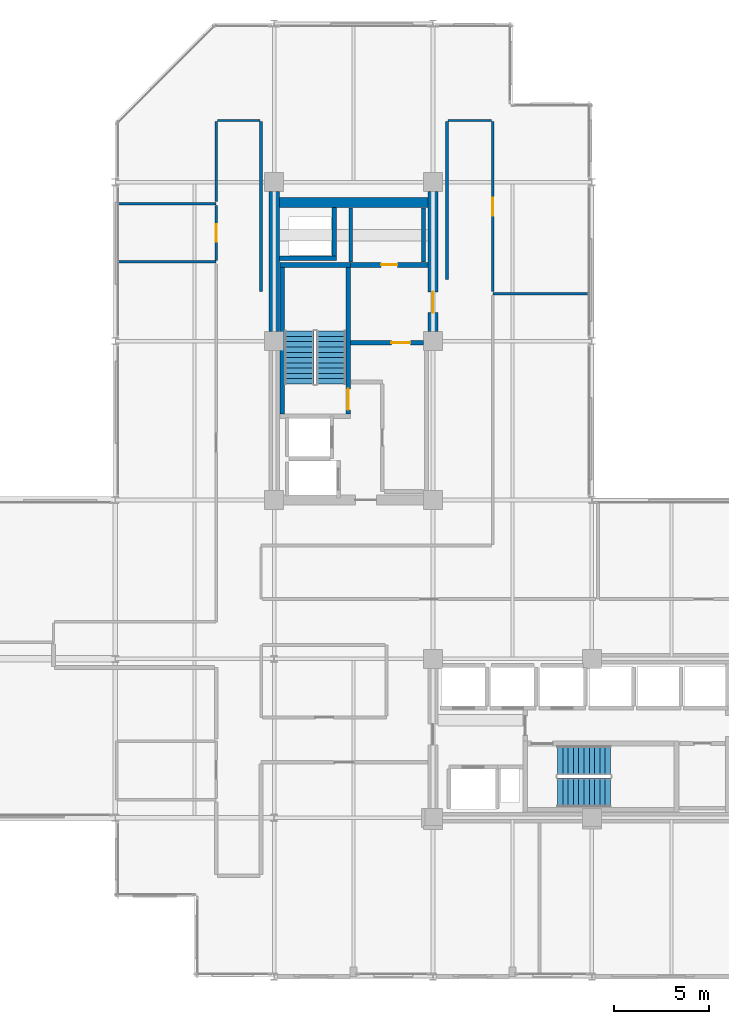
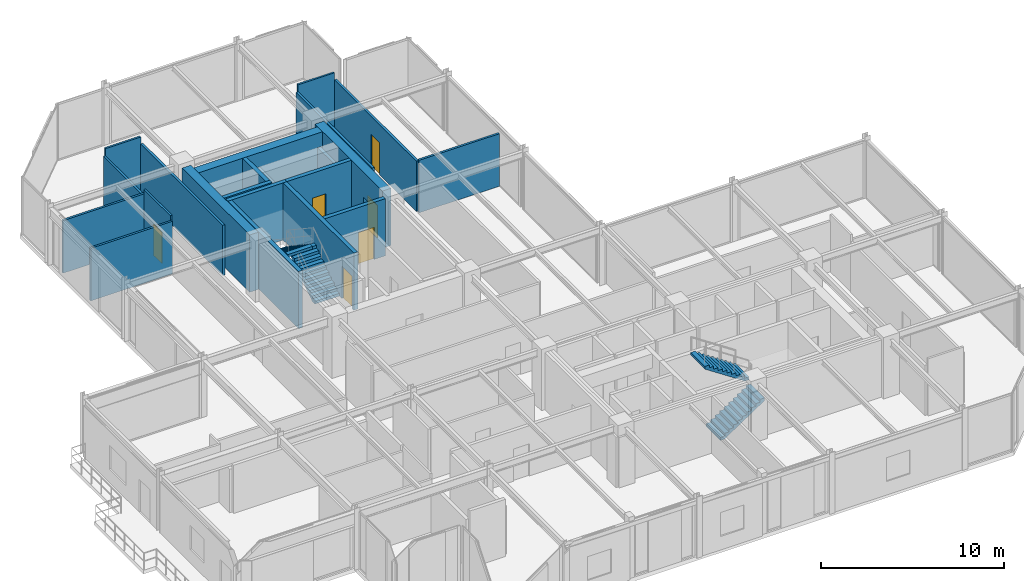
# One storey, part 26 of 29: 22 walls, 6 doors, 4 stair flights, 6 openings, 2 elements without a shape of their own.
"""IFC4 building model written with IfcOpenShell, lengths in metres."""

from ifc_helpers import new_model, si_unit, direction, frame, frame_2d, origin, place, context, subcontext, project, spatial, polyline, rectangle, outline, extrude, material, layer, layer_set, type_object, element, fill, aggregate, save


model = new_model("IFC4")

# Units and contexts
model_context = context("Model", 3, precision=1e-05, world=origin(), true_north=direction((0.0, 1.0)))
body_context = subcontext(model_context, "Body", "Model", "MODEL_VIEW")
ifc_project = project(units=[si_unit("LENGTHUNIT", "METRE"), si_unit("AREAUNIT", "SQUARE_METRE"), si_unit("VOLUMEUNIT", "CUBIC_METRE"), si_unit("PLANEANGLEUNIT", "RADIAN"), si_unit("MASSUNIT", "GRAM", prefix="KILO")], contexts=[model_context])

# Site, building, storey
site_placement = place(None, origin())
site = spatial("IfcSite", under=ifc_project, at=site_placement, CompositionType="ELEMENT")
building_placement = place(site_placement, origin())
building = spatial("IfcBuilding", under=site, at=building_placement, Name="Nerrivon Quay Data Exchange", CompositionType="ELEMENT")
storey_placement = place(building_placement, frame((0.0, 0.0, 196.0)))
storey = spatial("IfcBuildingStorey", under=building, at=storey_placement, Name="L46", CompositionType="ELEMENT", Elevation=196.0)

# Walls
ifc_material_1 = material(Name="Concrete S65 (65 MPa)", Category="concrete")
ifc_layer_1 = layer(ifc_material_1, 0.550048828125)
ifc_layer_set_1 = layer_set([ifc_layer_1], Name="Concrete S65 (65 MPa)")
wall_type_1 = type_object("IfcWallType", Name="WALL-CW-700", PredefinedType="SHEAR", material=ifc_layer_set_1)
wall_1_placement = place(storey_placement, frame((8.39990234375, 34.10009765625, 0.0), z_axis=(0.0, 0.0, 1.0), x_axis=(0.0, 1.0, 0.0)))
element("IfcWall", 1, at=wall_1_placement, inside=storey, type_object=wall_type_1, Name="L46 West Split-Core Shear Wall WCW-W2", PredefinedType="SHEAR", context=body_context, shape_type="SweptSolid", body=[
    extrude(rectangle(XDim=7.39990234375, YDim=0.550048828125, at=frame_2d((3.699951171875, 0.0))), origin(), (0.0, 0.0, 1.0), 3.824951171875),
])
wall_2_placement = place(storey_placement, frame((8.675048828125, 40.925048828125, 0.0), z_axis=(0.0, 0.0, 1.0), x_axis=(1.0, 0.0, 0.0)))
element("IfcWall", 2, at=wall_2_placement, inside=storey, type_object=wall_type_1, Name="L46 West Split-Core Shear Wall WCW-N1", PredefinedType="SHEAR", context=body_context, shape_type="SweptSolid", body=[
    extrude(rectangle(XDim=7.849853515625, YDim=0.550048828125, at=frame_2d((3.9248046875, 0.0))), origin(), (0.0, 0.0, 1.0), 3.824951171875),
])

# Wall, opening, door
wall_3_placement = place(storey_placement, frame((16.800048828125, 34.10009765625, 0.0), z_axis=(0.0, 0.0, 1.0), x_axis=(0.0, 1.0, 0.0)))
wall_3 = element("IfcWall", 3, at=wall_3_placement, inside=storey, type_object=wall_type_1, Name="L46 West Split-Core Shear Wall WCW-E1", PredefinedType="SHEAR", context=body_context, shape_type="SweptSolid", body=[
    extrude(rectangle(XDim=7.39990234375, YDim=0.550048828125, at=frame_2d((3.699951171875, 0.0))), origin(), (0.0, 0.0, 1.0), 3.824951171875),
])
opening_1_placement = place(wall_3_placement, frame((1.0, 0.0, 0.0)))
opening_1 = element("IfcOpeningElement", 4, at=opening_1_placement, cuts=wall_3, Name="Opening FD-120", PredefinedType="OPENING", context=body_context, shape_type="SweptSolid", body=[
    extrude(rectangle(XDim=1.10009765625, YDim=2.14990234375, at=frame_2d((0.550048828125, 1.074951171875))), frame((0.0, 0.284912109375, 0.0), z_axis=(0.0, -1.0, 0.0), x_axis=(1.0, 0.0, 0.0)), (0.0, 0.0, 1.0), 0.570068359375),
])
ifc_material_2 = material(Name="Powder-coated galvanized steel sheet", Category="steel")
door_type_1 = type_object("IfcDoorType", Name="DR-FD120-1100", OperationType="NOTDEFINED", PredefinedType="DOOR", material=ifc_material_2)
door_1_placement = place(opening_1_placement, origin())
door_1 = element("IfcDoor", 5, at=door_1_placement, inside=storey, type_object=door_type_1, Name="L46 West Core Lobby Fire Door", OperationType="SINGLE_SWING_LEFT", OverallHeight=2.14990234375, OverallWidth=1.10009765625, PredefinedType="DOOR", context=body_context, shape_type="SweptSolid", body=[
    extrude(rectangle(XDim=1.10009765625, YDim=2.14990234375, at=frame_2d((0.550048828125, 1.074951171875))), frame((0.0, 0.02490234375, 0.0), z_axis=(0.0, -1.0, 0.0), x_axis=(1.0, 0.0, 0.0)), (0.0, 0.0, 1.0), 0.050048828125),
])
fill(opening_1, door_1)

# Walls
ifc_material_3 = material(Name="Gypsum plasterboard on cold-formed framing", Category="gypsum")
ifc_layer_2 = layer(ifc_material_3, 0.199951171875)
ifc_layer_set_2 = layer_set([ifc_layer_2], Name="Gypsum plasterboard on cold-formed framing")
wall_type_2 = type_object("IfcWallType", Name="WALL-FW-200", PredefinedType="PARTITIONING", material=ifc_layer_set_2)
for number, where, z_axis, x_axis, name in (
    (6, (16.300048828125, 37.780029296875, 0.0), (0.0, 0.0, 1.0), (0.0, 1.0, 0.0), "L46 Partition Cleaners Store"),
    (7, (12.449951171875, 40.64599609375, 0.0), (0.0, 0.0, 1.0), (0.0, -1.0, 0.0), "L46 Partition Cleaners Store"),
):
    element("IfcWall", number, at=place(storey_placement, frame(where, z_axis=z_axis, x_axis=x_axis)), inside=storey, type_object=wall_type_2, Name=name, PredefinedType="PARTITIONING", context=body_context, shape_type="SweptSolid", body=[
        extrude(rectangle(XDim=2.865966796875, YDim=0.199951171875, at=frame_2d((1.43310546875, 0.0))), origin(), (0.0, 0.0, 1.0), 2.875),
    ])

# Wall, opening, door
ifc_layer_3 = layer(ifc_material_3, 0.1201171875)
ifc_layer_set_3 = layer_set([ifc_layer_3], Name="Gypsum plasterboard on cold-formed framing")
wall_type_3 = type_object("IfcWallType", Name="WALL-PT-120", PredefinedType="PARTITIONING", material=ifc_layer_set_3)
wall_4_placement = place(storey_placement, frame((5.340087890625, 37.87158203125, 0.0), z_axis=(0.0, 0.0, 1.0), x_axis=(0.0, 1.0, 0.0)))
wall_4 = element("IfcWall", 8, at=wall_4_placement, inside=storey, type_object=wall_type_3, Name="L46 Partition Accessible Toilet", PredefinedType="PARTITIONING", context=body_context, shape_type="SweptSolid", body=[
    extrude(rectangle(XDim=2.906982421875, YDim=0.1201171875, at=frame_2d((1.45361328125, 0.0))), origin(), (0.0, 0.0, 1.0), 3.824951171875),
])
opening_2_placement = place(wall_4_placement, frame((0.993408203125, 0.0, 0.0)))
opening_2 = element("IfcOpeningElement", 9, at=opening_2_placement, cuts=wall_4, Name="Opening D-WC", PredefinedType="OPENING", context=body_context, shape_type="SweptSolid", body=[
    extrude(rectangle(XDim=0.919921875, YDim=2.10009765625, at=frame_2d((0.4599609375, 1.050048828125))), frame((0.0, 0.070068359375, 0.0), z_axis=(0.0, -1.0, 0.0), x_axis=(1.0, 0.0, 0.0)), (0.0, 0.0, 1.0), 0.14013671875),
])
ifc_material_4 = material(Name="Engineered hardwood timber", Category="wood")
door_type_2 = type_object("IfcDoorType", Name="DR-WC-920", OperationType="NOTDEFINED", PredefinedType="DOOR", material=ifc_material_4)
door_2_placement = place(opening_2_placement, origin())
door_2 = element("IfcDoor", 10, at=door_2_placement, inside=storey, type_object=door_type_2, Name="L46 Door Accessible Toilet", OperationType="SINGLE_SWING_RIGHT", OverallHeight=2.10009765625, OverallWidth=0.919921875, PredefinedType="DOOR", context=body_context, shape_type="SweptSolid", body=[
    extrude(rectangle(XDim=0.919921875, YDim=2.10009765625, at=frame_2d((0.4599609375, 1.050048828125))), frame((0.0, 0.02490234375, 0.0), z_axis=(0.0, -1.0, 0.0), x_axis=(1.0, 0.0, 0.0)), (0.0, 0.0, 1.0), 0.050048828125),
])
fill(opening_2, door_2)

# Walls
wall_5_placement = place(storey_placement, frame((5.39990234375, 45.260009765625, 0.0), z_axis=(0.0, 0.0, 1.0), x_axis=(1.0, 0.0, 0.0)))
element("IfcWall", 11, at=wall_5_placement, inside=storey, type_object=wall_type_3, Name="L46 Partition Technical Library", PredefinedType="PARTITIONING", context=body_context, shape_type="SweptSolid", body=[
    extrude(rectangle(XDim=2.25, YDim=0.1201171875, at=frame_2d((1.125, 0.0))), origin(), (0.0, 0.0, 1.0), 3.824951171875),
])
wall_6_placement = place(storey_placement, frame((17.60009765625, 45.260009765625, 0.0), z_axis=(0.0, 0.0, 1.0), x_axis=(1.0, 0.0, 0.0)))
element("IfcWall", 12, at=wall_6_placement, inside=storey, type_object=wall_type_3, Name="L46 Partition Technical Library", PredefinedType="PARTITIONING", context=body_context, shape_type="SweptSolid", body=[
    extrude(rectangle(XDim=2.2998046875, YDim=0.1201171875, at=frame_2d((1.14990234375, 0.0))), origin(), (0.0, 0.0, 1.0), 3.824951171875),
])
ifc_layer_4 = layer(ifc_material_3, 0.135009765625)
ifc_layer_set_4 = layer_set([ifc_layer_4], Name="Gypsum plasterboard on cold-formed framing")
wall_type_4 = type_object("IfcWallType", Name="WALL-PT-135", PredefinedType="PARTITIONING", material=ifc_layer_set_4)
for number, where, z_axis, x_axis, name in (
    (13, (5.340087890625, 40.85009765625, 0.0), (0.0, 0.0, 1.0), (-1.0, 0.0, 0.0), "L46 Partition Accessible Toilet"),
    (14, (0.1689453125, 37.800048828125, 0.0), (0.0, 0.0, 1.0), (1.0, 0.0, 0.0), "L46 Partition Accessible Toilet"),
):
    element("IfcWall", number, at=place(storey_placement, frame(where, z_axis=z_axis, x_axis=x_axis)), inside=storey, type_object=wall_type_4, Name=name, PredefinedType="PARTITIONING", context=body_context, shape_type="SweptSolid", body=[
        extrude(rectangle(XDim=5.171142578125, YDim=0.135009765625, at=frame_2d((2.58544921875, 0.0))), origin(), (0.0, 0.0, 1.0), 3.51806640625),
    ])
wall_7_placement = place(storey_placement, frame((25.031005859375, 36.092041015625, 0.0), z_axis=(0.0, 0.0, 1.0), x_axis=(-1.0, 0.0, 0.0)))
element("IfcWall", 15, at=wall_7_placement, inside=storey, type_object=wall_type_4, Name="L46 Partition Staff Tea Pantry", PredefinedType="PARTITIONING", context=body_context, shape_type="SweptSolid", body=[
    extrude(rectangle(XDim=5.071044921875, YDim=0.135009765625, at=frame_2d((2.53564453125, 0.0))), origin(), (0.0, 0.0, 1.0), 3.51806640625),
])
wall_8_placement = place(storey_placement, frame((5.340087890625, 40.969970703125, 0.0), z_axis=(0.0, 0.0, 1.0), x_axis=(0.0, 1.0, 0.0)))
element("IfcWall", 16, at=wall_8_placement, inside=storey, type_object=wall_type_4, Name="L46 Partition Technical Library", PredefinedType="PARTITIONING", context=body_context, shape_type="SweptSolid", body=[
    extrude(rectangle(XDim=4.22998046875, YDim=0.135009765625, at=frame_2d((2.114990234375, 0.0))), origin(), (0.0, 0.0, 1.0), 3.364990234375),
])

# Wall, opening, door
ifc_layer_5 = layer(ifc_material_3, 0.14990234375)
ifc_layer_set_5 = layer_set([ifc_layer_5], Name="Gypsum plasterboard on cold-formed framing")
wall_type_5 = type_object("IfcWallType", Name="WALL-PT-150", PredefinedType="PARTITIONING", material=ifc_layer_set_5)
wall_9_placement = place(storey_placement, frame((19.9599609375, 45.199951171875, 0.0), z_axis=(0.0, 0.0, 1.0), x_axis=(0.0, -1.0, 0.0)))
wall_9 = element("IfcWall", 17, at=wall_9_placement, inside=storey, type_object=wall_type_5, Name="L46 Partition Technical Library", PredefinedType="PARTITIONING", context=body_context, shape_type="SweptSolid", body=[
    extrude(rectangle(XDim=8.988037109375, YDim=0.14990234375, at=frame_2d((4.494140625, 0.0))), origin(), (0.0, 0.0, 1.0), 3.364990234375),
])
opening_3_placement = place(wall_9_placement, frame((4.01904296875, 0.0, 0.0)))
opening_3 = element("IfcOpeningElement", 18, at=opening_3_placement, cuts=wall_9, Name="Opening D-01", PredefinedType="OPENING", context=body_context, shape_type="SweptSolid", body=[
    extrude(rectangle(XDim=0.949951171875, YDim=2.14990234375, at=frame_2d((0.47509765625, 1.074951171875))), frame((0.0, 0.0849609375, 0.0), z_axis=(0.0, -1.0, 0.0), x_axis=(1.0, 0.0, 0.0)), (0.0, 0.0, 1.0), 0.169921875),
])
door_type_3 = type_object("IfcDoorType", Name="DR-INT-950", OperationType="NOTDEFINED", PredefinedType="DOOR", material=ifc_material_4)
door_3_placement = place(opening_3_placement, origin())
door_3 = element("IfcDoor", 19, at=door_3_placement, inside=storey, type_object=door_type_3, Name="L46 Door Technical Library", OperationType="SINGLE_SWING_LEFT", OverallHeight=2.14990234375, OverallWidth=0.949951171875, PredefinedType="DOOR", context=body_context, shape_type="SweptSolid", body=[
    extrude(rectangle(XDim=0.949951171875, YDim=2.14990234375, at=frame_2d((0.47509765625, 1.074951171875))), frame((0.0, 0.02490234375, 0.0), z_axis=(0.0, -1.0, 0.0), x_axis=(1.0, 0.0, 0.0)), (0.0, 0.0, 1.0), 0.050048828125),
])
fill(opening_3, door_3)

# Walls
wall_10_placement = place(storey_placement, frame((7.7099609375, 45.199951171875, 0.0), z_axis=(0.0, 0.0, 1.0), x_axis=(0.0, -1.0, 0.0)))
element("IfcWall", 20, at=wall_10_placement, inside=storey, type_object=wall_type_5, Name="L46 Partition Technical Library", PredefinedType="PARTITIONING", context=body_context, shape_type="SweptSolid", body=[
    extrude(rectangle(XDim=8.988037109375, YDim=0.14990234375, at=frame_2d((4.494140625, 0.0))), origin(), (0.0, 0.0, 1.0), 3.364990234375),
])
wall_11_placement = place(storey_placement, frame((17.5400390625, 36.860107421875, 0.0), z_axis=(0.0, 0.0, 1.0), x_axis=(0.0, 1.0, 0.0)))
element("IfcWall", 21, at=wall_11_placement, inside=storey, type_object=wall_type_5, Name="L46 Partition Technical Library", PredefinedType="PARTITIONING", context=body_context, shape_type="SweptSolid", body=[
    extrude(rectangle(XDim=8.33984375, YDim=0.14990234375, at=frame_2d((4.169921875, 0.0))), origin(), (0.0, 0.0, 1.0), 3.364990234375),
])
ifc_material_5 = material(Name="Concrete N50 (50 MPa)", Category="concrete")
ifc_layer_6 = layer(ifc_material_5, 0.25)
ifc_layer_set_6 = layer_set([ifc_layer_6], Name="Concrete N50 (50 MPa)")
wall_type_6 = type_object("IfcWallType", Name="WALL-SW-250", PredefinedType="SHEAR", material=ifc_layer_set_6)
wall_12_placement = place(storey_placement, frame((12.449951171875, 37.625, 0.0), z_axis=(0.0, 0.0, 1.0), x_axis=(-1.0, 0.0, 0.0)))
element("IfcWall", 22, at=wall_12_placement, inside=storey, type_object=wall_type_6, Name="L46 ST01 Structural Stair Core Wall FAR", PredefinedType="SHEAR", context=body_context, shape_type="SweptSolid", body=[
    extrude(rectangle(XDim=3.75, YDim=0.25, at=frame_2d((1.875, 0.0))), origin(), (0.0, 0.0, 1.0), 3.824951171875),
])

# Wall, opening, door
wall_13_placement = place(storey_placement, frame((12.324951171875, 29.75, 0.0), z_axis=(0.0, 0.0, 1.0), x_axis=(0.0, 1.0, 0.0)))
wall_13 = element("IfcWall", 23, at=wall_13_placement, inside=storey, type_object=wall_type_6, Name="L46 ST01 Structural Stair Core Wall LEFT", PredefinedType="SHEAR", context=body_context, shape_type="SweptSolid", body=[
    extrude(rectangle(XDim=7.75, YDim=0.25, at=frame_2d((3.875, 0.0))), origin(), (0.0, 0.0, 1.0), 3.824951171875),
])
opening_4_placement = place(wall_13_placement, frame((0.219970703125, 0.0, 0.0)))
opening_4 = element("IfcOpeningElement", 24, at=opening_4_placement, cuts=wall_13, Name="Opening FD-120", PredefinedType="OPENING", context=body_context, shape_type="SweptSolid", body=[
    extrude(rectangle(XDim=1.10009765625, YDim=2.14990234375, at=frame_2d((0.550048828125, 1.074951171875))), frame((0.0, 0.135009765625, 0.0), z_axis=(0.0, -1.0, 0.0), x_axis=(1.0, 0.0, 0.0)), (0.0, 0.0, 1.0), 0.27001953125),
])
door_4_placement = place(opening_4_placement, origin())
door_4 = element("IfcDoor", 25, at=door_4_placement, inside=storey, type_object=door_type_1, Name="L46 Protected Stair Door ST01", OperationType="SINGLE_SWING_LEFT", OverallHeight=2.14990234375, OverallWidth=1.10009765625, PredefinedType="DOOR", context=body_context, shape_type="SweptSolid", body=[
    extrude(rectangle(XDim=1.10009765625, YDim=2.14990234375, at=frame_2d((0.550048828125, 1.074951171875))), frame((0.0, 0.02490234375, 0.0), z_axis=(0.0, -1.0, 0.0), x_axis=(1.0, 0.0, 0.0)), (0.0, 0.0, 1.0), 0.050048828125),
])
fill(opening_4, door_4)

# Walls
wall_14_placement = place(storey_placement, frame((8.824951171875, 29.75, 0.0), z_axis=(0.0, 0.0, 1.0), x_axis=(0.0, 1.0, 0.0)))
element("IfcWall", 26, at=wall_14_placement, inside=storey, type_object=wall_type_6, Name="L46 ST01 Structural Stair Core Wall RIGHT", PredefinedType="SHEAR", context=body_context, shape_type="SweptSolid", body=[
    extrude(rectangle(XDim=7.75, YDim=0.25, at=frame_2d((3.875, 0.0))), origin(), (0.0, 0.0, 1.0), 3.824951171875),
])
wall_15_placement = place(storey_placement, frame((8.675048828125, 37.97509765625, 0.0), z_axis=(0.0, 0.0, 1.0), x_axis=(1.0, 0.0, 0.0)))
element("IfcWall", 27, at=wall_15_placement, inside=storey, type_object=wall_type_6, Name="L46 West Core MEP Riser Shaft Wall S", PredefinedType="SHEAR", context=body_context, shape_type="SweptSolid", body=[
    extrude(rectangle(XDim=3.02490234375, YDim=0.25, at=frame_2d((1.512451171875, 0.0))), origin(), (0.0, 0.0, 1.0), 3.824951171875),
])
wall_16_placement = place(storey_placement, frame((11.574951171875, 38.10009765625, 0.0), z_axis=(0.0, 0.0, 1.0), x_axis=(0.0, 1.0, 0.0)))
element("IfcWall", 28, at=wall_16_placement, inside=storey, type_object=wall_type_6, Name="L46 West Core MEP Riser Shaft Wall E", PredefinedType="SHEAR", context=body_context, shape_type="SweptSolid", body=[
    extrude(rectangle(XDim=2.5498046875, YDim=0.25, at=frame_2d((1.27490234375, 0.0))), origin(), (0.0, 0.0, 1.0), 3.824951171875),
])

# Wall, opening, door
wall_17_placement = place(storey_placement, frame((12.449951171875, 33.52001953125, 0.0), z_axis=(0.0, 0.0, 1.0), x_axis=(1.0, 0.0, 0.0)))
wall_17 = element("IfcWall", 29, at=wall_17_placement, inside=storey, type_object=wall_type_6, Name="L46 West Lobby Smoke-Stop Wall", PredefinedType="SHEAR", context=body_context, shape_type="SweptSolid", body=[
    extrude(rectangle(XDim=3.85009765625, YDim=0.25, at=frame_2d((1.925048828125, 0.0))), origin(), (0.0, 0.0, 1.0), 3.824951171875),
])
opening_5_placement = place(wall_17_placement, frame((2.14990234375, 0.0, 0.0)))
opening_5 = element("IfcOpeningElement", 30, at=opening_5_placement, cuts=wall_17, Name="Opening FD-60", PredefinedType="OPENING", context=body_context, shape_type="SweptSolid", body=[
    extrude(rectangle(XDim=1.0, YDim=2.14990234375, at=frame_2d((0.5, 1.074951171875))), frame((0.0, 0.135009765625, 0.0), z_axis=(0.0, -1.0, 0.0), x_axis=(1.0, 0.0, 0.0)), (0.0, 0.0, 1.0), 0.27001953125),
])
door_type_4 = type_object("IfcDoorType", Name="DR-FD60-1000", OperationType="NOTDEFINED", PredefinedType="DOOR", material=ifc_material_4)
door_5_placement = place(opening_5_placement, origin())
door_5 = element("IfcDoor", 31, at=door_5_placement, inside=storey, type_object=door_type_4, Name="L46 West Firefighting Lobby Fire Door", OperationType="SINGLE_SWING_LEFT", OverallHeight=2.14990234375, OverallWidth=1.0, PredefinedType="DOOR", context=body_context, shape_type="SweptSolid", body=[
    extrude(rectangle(XDim=1.0, YDim=2.14990234375, at=frame_2d((0.5, 1.074951171875))), frame((0.0, 0.02490234375, 0.0), z_axis=(0.0, -1.0, 0.0), x_axis=(1.0, 0.0, 0.0)), (0.0, 0.0, 1.0), 0.050048828125),
])
fill(opening_5, door_5)

wall_18_placement = place(storey_placement, frame((12.449951171875, 37.625, 0.0), z_axis=(0.0, 0.0, 1.0), x_axis=(1.0, 0.0, 0.0)))
wall_18 = element("IfcWall", 32, at=wall_18_placement, inside=storey, type_object=wall_type_6, Name="L46 West Firefighting Lobby Wall", PredefinedType="SHEAR", context=body_context, shape_type="SweptSolid", body=[
    extrude(rectangle(XDim=4.074951171875, YDim=0.25, at=frame_2d((2.03759765625, 0.0))), origin(), (0.0, 0.0, 1.0), 3.824951171875),
])
opening_6_placement = place(wall_18_placement, frame((1.612548828125, 0.0, 0.0)))
opening_6 = element("IfcOpeningElement", 33, at=opening_6_placement, cuts=wall_18, Name="Opening FD-60S", PredefinedType="OPENING", context=body_context, shape_type="SweptSolid", body=[
    extrude(rectangle(XDim=0.85009765625, YDim=2.14990234375, at=frame_2d((0.425048828125, 1.074951171875))), frame((0.0, 0.135009765625, 0.0), z_axis=(0.0, -1.0, 0.0), x_axis=(1.0, 0.0, 0.0)), (0.0, 0.0, 1.0), 0.27001953125),
])
door_type_5 = type_object("IfcDoorType", Name="DR-FD60-850", OperationType="NOTDEFINED", PredefinedType="DOOR", material=ifc_material_4)
door_6_placement = place(opening_6_placement, origin())
door_6 = element("IfcDoor", 34, at=door_6_placement, inside=storey, type_object=door_type_5, Name="L46 Door Cleaners Store", OperationType="SINGLE_SWING_RIGHT", OverallHeight=2.14990234375, OverallWidth=0.85009765625, PredefinedType="DOOR", context=body_context, shape_type="SweptSolid", body=[
    extrude(rectangle(XDim=0.85009765625, YDim=2.14990234375, at=frame_2d((0.425048828125, 1.074951171875))), frame((0.0, 0.02490234375, 0.0), z_axis=(0.0, -1.0, 0.0), x_axis=(1.0, 0.0, 0.0)), (0.0, 0.0, 1.0), 0.050048828125),
])
fill(opening_6, door_6)

# Stair, stair flights
stair_type = type_object("IfcStairType", Name="STAIR-DOG-41", PredefinedType="HALF_TURN_STAIR", material=ifc_material_5)
stair_1_placement = place(storey_placement, origin())
stair_1 = element("IfcStair", 35, at=stair_1_placement, inside=storey, type_object=stair_type, Name="L46 West Core Fire Stair ST01", PredefinedType="HALF_TURN_STAIR")
stair_flight_type = type_object("IfcStairFlightType", Name="FLIGHT-DOG-41", PredefinedType="STRAIGHT", material=ifc_material_5)
stair_flight_1_placement = place(storey_placement, frame((11.425048828125, 31.330078125, 0.0), z_axis=(0.0, 0.0, 1.0), x_axis=(0.0, 1.0, 0.0)))
stair_flight_1 = element("IfcStairFlight", 36, at=stair_flight_1_placement, type_object=stair_flight_type, Name="ST01 flight 1", NumberOfRisers=11, NumberOfTreads=10, PredefinedType="STRAIGHT", RiserHeight=0.186363636, TreadLength=0.28, context=body_context, shape_type="SweptSolid", body=[
    extrude(outline(polyline([(0.0, 0.0), (0.0, 0.186279296875), (0.280029296875, 0.186279296875), (0.280029296875, 0.372802734375), (0.56005859375, 0.372802734375), (0.56005859375, 0.55908203125), (0.840087890625, 0.55908203125), (0.840087890625, 0.745361328125), (1.1201171875, 0.745361328125), (1.1201171875, 0.931884765625), (1.39990234375, 0.931884765625), (1.39990234375, 1.1181640625), (1.679931640625, 1.1181640625), (1.679931640625, 1.304443359375), (1.9599609375, 1.304443359375), (1.9599609375, 1.490966796875), (2.239990234375, 1.490966796875), (2.239990234375, 1.67724609375), (2.52001953125, 1.67724609375), (2.52001953125, 1.863525390625), (2.800048828125, 1.863525390625), (2.800048828125, 2.050048828125), (2.800048828125, 1.68359375), (0.2705078125, 0.0), (0.0, 0.0)])), frame((0.0, 0.77490234375, 0.0), z_axis=(0.0, -1.0, 0.0), x_axis=(1.0, 0.0, 0.0)), (0.0, 0.0, 1.0), 1.550048828125),
])
stair_flight_2_placement = place(storey_placement, frame((9.72509765625, 34.1298828125, 2.050048828125), z_axis=(0.0, 0.0, 1.0), x_axis=(0.0, -1.0, 0.0)))
stair_flight_2 = element("IfcStairFlight", 37, at=stair_flight_2_placement, type_object=stair_flight_type, Name="ST01 flight 2", NumberOfRisers=11, NumberOfTreads=10, PredefinedType="STRAIGHT", RiserHeight=0.186363636, TreadLength=0.28, context=body_context, shape_type="SweptSolid", body=[
    extrude(outline(polyline([(0.0, 0.0), (0.0, 0.186279296875), (0.280029296875, 0.186279296875), (0.280029296875, 0.372802734375), (0.56005859375, 0.372802734375), (0.56005859375, 0.55908203125), (0.840087890625, 0.55908203125), (0.840087890625, 0.745361328125), (1.1201171875, 0.745361328125), (1.1201171875, 0.931884765625), (1.39990234375, 0.931884765625), (1.39990234375, 1.1181640625), (1.679931640625, 1.1181640625), (1.679931640625, 1.304443359375), (1.9599609375, 1.304443359375), (1.9599609375, 1.490966796875), (2.239990234375, 1.490966796875), (2.239990234375, 1.67724609375), (2.52001953125, 1.67724609375), (2.52001953125, 1.863525390625), (2.800048828125, 1.863525390625), (2.800048828125, 2.050048828125), (2.800048828125, 1.68359375), (0.2705078125, 0.0), (0.0, 0.0)])), frame((0.0, 0.77490234375, 0.0), z_axis=(0.0, -1.0, 0.0), x_axis=(1.0, 0.0, 0.0)), (0.0, 0.0, 1.0), 1.550048828125),
])
aggregate(stair_1, [stair_flight_1, stair_flight_2])

stair_2_placement = place(storey_placement, origin())
stair_2 = element("IfcStair", 38, at=stair_2_placement, inside=storey, type_object=stair_type, Name="L46 East Core Fire Stair ST02", PredefinedType="HALF_TURN_STAIR")
stair_flight_3_placement = place(storey_placement, frame((23.3798828125, 9.72509765625, 0.0), z_axis=(0.0, 0.0, 1.0), x_axis=(1.0, 0.0, 0.0)))
stair_flight_3 = element("IfcStairFlight", 39, at=stair_flight_3_placement, type_object=stair_flight_type, Name="ST02 flight 1", NumberOfRisers=11, NumberOfTreads=10, PredefinedType="STRAIGHT", RiserHeight=0.186363636, TreadLength=0.28, context=body_context, shape_type="SweptSolid", body=[
    extrude(outline(polyline([(0.0, 0.0), (0.0, 0.186279296875), (0.280029296875, 0.186279296875), (0.280029296875, 0.372802734375), (0.56005859375, 0.372802734375), (0.56005859375, 0.55908203125), (0.840087890625, 0.55908203125), (0.840087890625, 0.745361328125), (1.1201171875, 0.745361328125), (1.1201171875, 0.931884765625), (1.39990234375, 0.931884765625), (1.39990234375, 1.1181640625), (1.679931640625, 1.1181640625), (1.679931640625, 1.304443359375), (1.9599609375, 1.304443359375), (1.9599609375, 1.490966796875), (2.239990234375, 1.490966796875), (2.239990234375, 1.67724609375), (2.52001953125, 1.67724609375), (2.52001953125, 1.863525390625), (2.800048828125, 1.863525390625), (2.800048828125, 2.050048828125), (2.800048828125, 1.68359375), (0.2705078125, 0.0), (0.0, 0.0)])), frame((0.0, 0.77490234375, 0.0), z_axis=(0.0, -1.0, 0.0), x_axis=(1.0, 0.0, 0.0)), (0.0, 0.0, 1.0), 1.550048828125),
])
stair_flight_4_placement = place(storey_placement, frame((26.179931640625, 11.425048828125, 2.050048828125), z_axis=(0.0, 0.0, 1.0), x_axis=(-1.0, 0.0, 0.0)))
stair_flight_4 = element("IfcStairFlight", 40, at=stair_flight_4_placement, type_object=stair_flight_type, Name="ST02 flight 2", NumberOfRisers=11, NumberOfTreads=10, PredefinedType="STRAIGHT", RiserHeight=0.186363636, TreadLength=0.28, context=body_context, shape_type="SweptSolid", body=[
    extrude(outline(polyline([(0.0, 0.0), (0.0, 0.186279296875), (0.280029296875, 0.186279296875), (0.280029296875, 0.372802734375), (0.56005859375, 0.372802734375), (0.56005859375, 0.55908203125), (0.840087890625, 0.55908203125), (0.840087890625, 0.745361328125), (1.1201171875, 0.745361328125), (1.1201171875, 0.931884765625), (1.39990234375, 0.931884765625), (1.39990234375, 1.1181640625), (1.679931640625, 1.1181640625), (1.679931640625, 1.304443359375), (1.9599609375, 1.304443359375), (1.9599609375, 1.490966796875), (2.239990234375, 1.490966796875), (2.239990234375, 1.67724609375), (2.52001953125, 1.67724609375), (2.52001953125, 1.863525390625), (2.800048828125, 1.863525390625), (2.800048828125, 2.050048828125), (2.800048828125, 1.68359375), (0.2705078125, 0.0), (0.0, 0.0)])), frame((0.0, 0.77490234375, 0.0), z_axis=(0.0, -1.0, 0.0), x_axis=(1.0, 0.0, 0.0)), (0.0, 0.0, 1.0), 1.550048828125),
])
aggregate(stair_2, [stair_flight_3, stair_flight_4])

save(model, "model.ifc")
